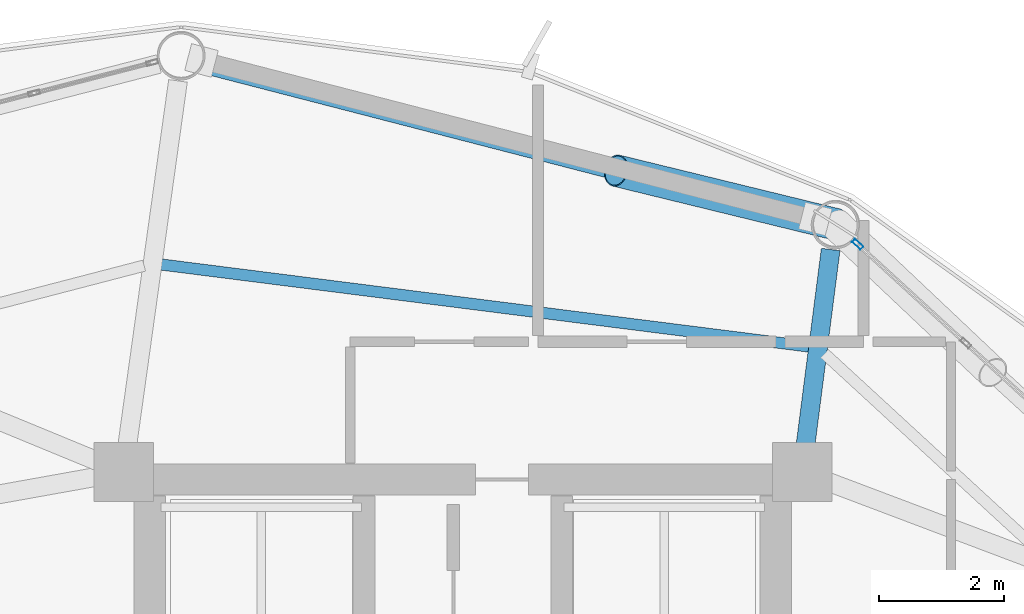
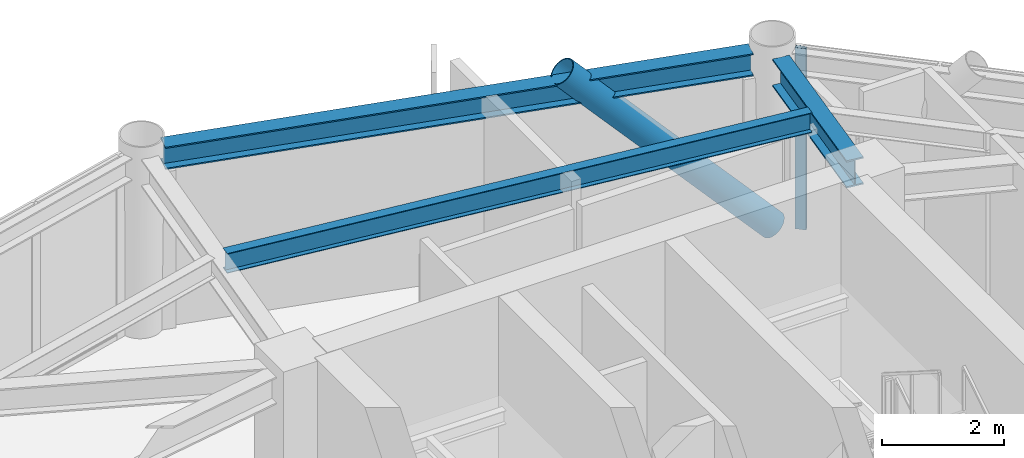
# One storey, part 19 of 27: 3 beams, 2 members, 1 element without a shape of its own.
"""IFC4 building model written with IfcOpenShell, lengths in metres."""

from ifc_helpers import new_model, si_unit, direction, frame, origin, origin_2d, place, context, subcontext, project, spatial, hollow_rectangle, hollow_circle, i_section, extrude, material, layer, layer_set, material_profile, profile_set, type_object, element, aggregate, save


model = new_model("IFC4")

# Units and contexts
model_context = context("Model", 3, precision=1e-05, world=origin(), true_north=direction((0.0, 1.0)))
body_context = subcontext(model_context, "Body", "Model", "MODEL_VIEW")
ifc_project = project(units=[si_unit("LENGTHUNIT", "METRE"), si_unit("AREAUNIT", "SQUARE_METRE"), si_unit("VOLUMEUNIT", "CUBIC_METRE"), si_unit("PLANEANGLEUNIT", "RADIAN"), si_unit("MASSUNIT", "GRAM", prefix="KILO")], contexts=[model_context])

# Site, building, storey
site_placement = place(None, origin())
site = spatial("IfcSite", under=ifc_project, at=site_placement, CompositionType="ELEMENT")
building_placement = place(site_placement, origin())
building = spatial("IfcBuilding", under=site, at=building_placement, Name="Varnakorn Sky Granary", CompositionType="ELEMENT")
storey_placement = place(building_placement, frame((0.0, 0.0, 134.39990234375)))
storey = spatial("IfcBuildingStorey", under=building, at=storey_placement, Name="L33", CompositionType="ELEMENT", Elevation=134.39990234375)

# Beams
ifc_material_1 = material(Name="Steel S355JR", Category="steel")
ifc_material_profile_1 = material_profile(ifc_material_1, i_section(OverallWidth=0.300048828125, OverallDepth=0.550048828125, WebThickness=0.014892578125, FlangeThickness=0.029052734375, at=origin_2d()), Name="HE 550 B")
ifc_profile_set_1 = profile_set([ifc_material_profile_1], Name="Steel S355JR")
beam_type_1 = type_object("IfcBeamType", Name="BM-RAD-Z3", PredefinedType="BEAM", material=ifc_profile_set_1)
beam_1_placement = place(storey_placement, frame((8.4736328125, 13.03662109375, 3.364990234375), z_axis=(0.127557529736, 0.99183117344, 0.0), x_axis=(-0.99183117344, 0.127557529736, 0.0)))
element("IfcBeam", 1, at=beam_1_placement, inside=storey, type_object=beam_type_1, Name="Radial Floor Girder RG03 L33", PredefinedType="BEAM", context=body_context, shape_type="SweptSolid", body=[
    extrude(i_section(OverallWidth=0.300048828125, OverallDepth=0.550048828125, WebThickness=0.014892578125, FlangeThickness=0.029052734375, at=origin_2d()), origin(), (0.0, 0.0, 1.0), 3.163818359375),
])
ifc_material_profile_2 = material_profile(ifc_material_1, i_section(OverallWidth=0.179931640625, OverallDepth=0.39990234375, WebThickness=0.008544921875, FlangeThickness=0.013427734375, at=origin_2d()), Name="IPE 400")
ifc_profile_set_2 = profile_set([ifc_material_profile_2], Name="Steel S355JR")
beam_type_2 = type_object("IfcBeamType", Name="BM-SEC-Z3", PredefinedType="BEAM", material=ifc_profile_set_2)
beam_2_placement = place(storey_placement, frame((8.53662109375, 14.623291015625, 3.440185546875), z_axis=(-0.9920728446, 0.125664119811, 0.0), x_axis=(-0.125664119811, -0.9920728446, 0.0)))
element("IfcBeam", 2, at=beam_2_placement, inside=storey, type_object=beam_type_2, Name="Secondary Floor Chord Beam MSB03 L33", PredefinedType="BEAM", context=body_context, shape_type="SweptSolid", body=[
    extrude(i_section(OverallWidth=0.179931640625, OverallDepth=0.39990234375, WebThickness=0.008544921875, FlangeThickness=0.013427734375, at=origin_2d()), origin(), (0.0, 0.0, 1.0), 10.436767578125),
])
ifc_material_profile_3 = material_profile(ifc_material_1, i_section(OverallWidth=0.300048828125, OverallDepth=0.449951171875, WebThickness=0.013916015625, FlangeThickness=0.02587890625, at=origin_2d()), Name="HE 450 B")
ifc_profile_set_3 = profile_set([ifc_material_profile_3], Name="Steel S355JR")
beam_type_3 = type_object("IfcBeamType", Name="BM-SPD-Z3", PredefinedType="SPANDREL", material=ifc_profile_set_3)
beam_3_placement = place(storey_placement, frame((8.569580078125, 16.629150390625, 3.4150390625), z_axis=(-0.968201699162, 0.250170881079, 0.0), x_axis=(-0.250170881079, -0.968201699162, 0.0)))
element("IfcBeam", 3, at=beam_3_placement, inside=storey, type_object=beam_type_3, Name="Perimeter Spandrel Ring Beam RB03 L33", PredefinedType="SPANDREL", context=body_context, shape_type="SweptSolid", body=[
    extrude(i_section(OverallWidth=0.300048828125, OverallDepth=0.449951171875, WebThickness=0.013916015625, FlangeThickness=0.02587890625, at=origin_2d()), origin(), (0.0, 0.0, 1.0), 10.0341796875),
])

# Curtain wall, member
ifc_material_2 = material(Name="Anodised Bronze Aluminium Alloy 6063-T6", Category="aluminium")
ifc_layer = layer(ifc_material_2, 0.179931640625, Name="Anodised Bronze Aluminium Alloy 6063-T6")
ifc_layer_set = layer_set([ifc_layer], Name="Anodised Bronze Aluminium Alloy 6063-T6")
curtain_wall_type = type_object("IfcCurtainWallType", Name="CW-FRM-2", PredefinedType="USERDEFINED", material=ifc_layer_set)
curtain_wall_placement = place(storey_placement, origin())
curtain_wall = element("IfcCurtainWall", 4, at=curtain_wall_placement, inside=storey, type_object=curtain_wall_type, Name="Unitised Curtain Wall CW4 CW-L33-B02", ObjectType="CURTAIN WALL", PredefinedType="USERDEFINED")
ifc_material_profile_4 = material_profile(ifc_material_2, hollow_rectangle(XDim=0.070068359375, YDim=0.18505859375, WallThickness=0.00390625, at=origin_2d()), Name="ALU MULL 70x185")
ifc_profile_set_4 = profile_set([ifc_material_profile_4], Name="Anodised Bronze Aluminium Alloy 6063-T6")
member_type_1 = type_object("IfcMemberType", Name="CW-FRM-2-MULL", PredefinedType="MULLION", material=ifc_profile_set_4)
member_1_placement = place(storey_placement, frame((9.30859375, 16.2578125, 0.0), z_axis=(0.0, 0.0, 1.0), x_axis=(0.675182733871, 0.737650510664, 0.0)))
member_1 = element("IfcMember", 5, at=member_1_placement, type_object=member_type_1, Name="CW4 mullion 1", PredefinedType="MULLION", context=body_context, shape_type="SweptSolid", body=[
    extrude(hollow_rectangle(XDim=0.070068359375, YDim=0.18505859375, WallThickness=0.00390625, at=origin_2d()), origin(), (0.0, 0.0, 1.0), 3.64013671875),
])
aggregate(curtain_wall, [member_1])

# Member
ifc_material_3 = material(Name="Steel S460M", Category="steel")
ifc_material_profile_5 = material_profile(ifc_material_3, hollow_circle(Radius=0.25390625, WallThickness=0.01806640625, at=origin_2d()), Name="CHS 508x18")
ifc_profile_set_5 = profile_set([ifc_material_profile_5], Name="Steel S460M")
member_type_2 = type_object("IfcMemberType", Name="MB-DIAG-T2", PredefinedType="BRACE", material=ifc_profile_set_5)
member_2_placement = place(storey_placement, frame((8.95751953125, 16.5791015625, 0.0), z_axis=(-0.67015731036, 0.163551961547, 0.723975092973), x_axis=(-0.237091578166, -0.97148730489, 0.0)))
element("IfcMember", 6, at=member_2_placement, inside=storey, type_object=member_type_2, Name="Perimeter CHS Diagrid Brace DG03 L33", PredefinedType="BRACE", context=body_context, shape_type="SweptSolid", body=[
    extrude(hollow_circle(Radius=0.25390625, WallThickness=0.01806640625, at=origin_2d()), origin(), (0.0, 0.0, 1.0), 5.235107421875),
])

save(model, "model.ifc")
